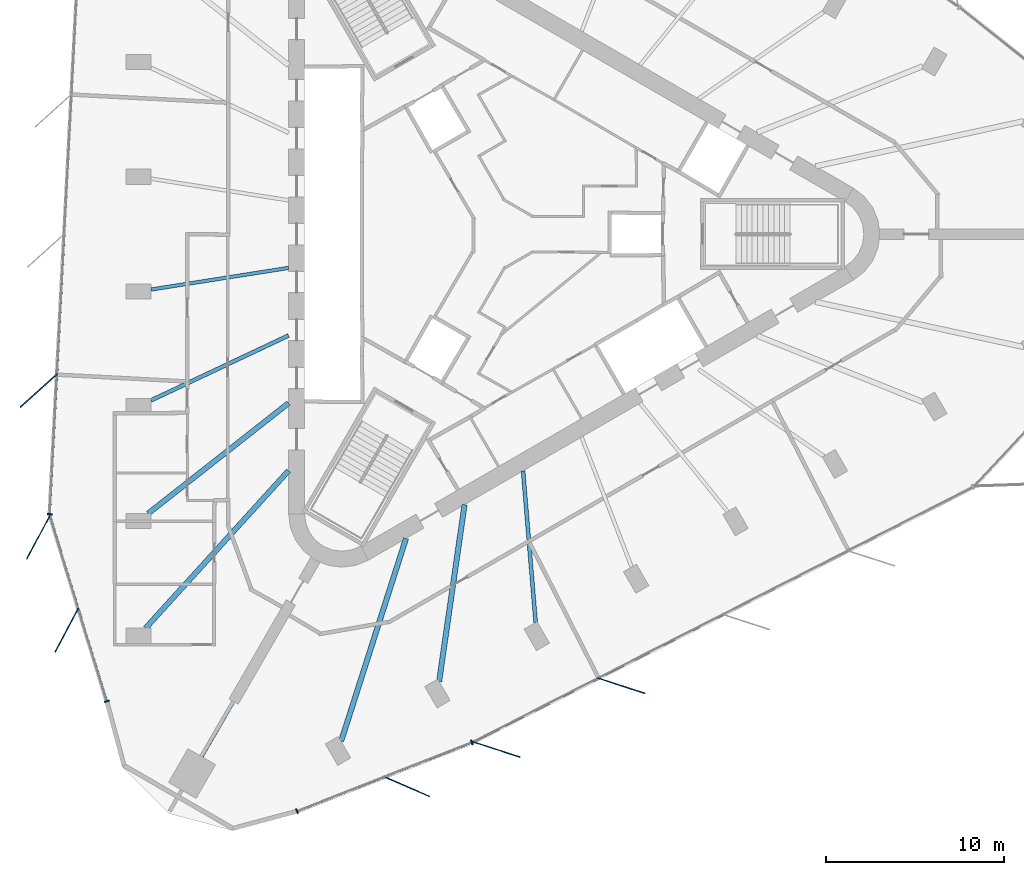
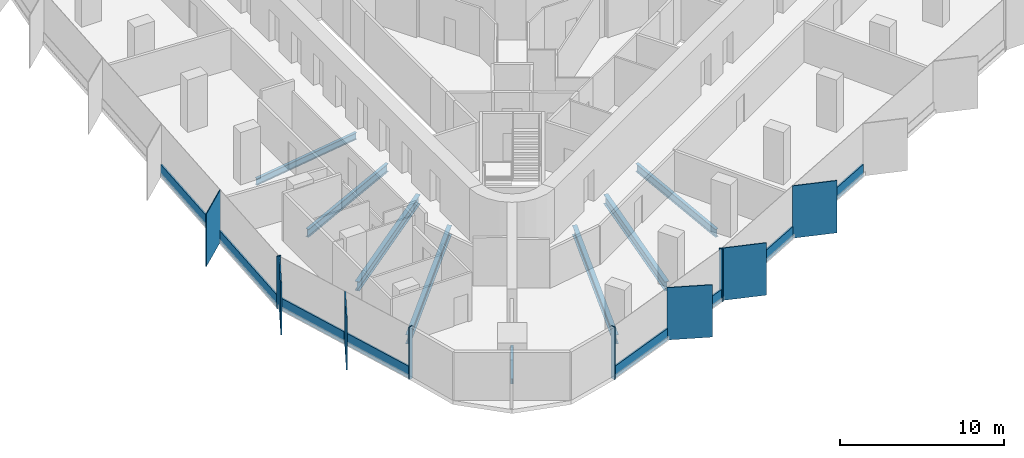
# One storey, part 2 of 13: 18 members, 8 beams, 4 elements without a shape of their own.
"""IFC4 building model written with IfcOpenShell, lengths in metres."""

import ifcopenshell
import ifcopenshell.guid

model = None  # the IFC model being written
_history = None  # IfcOwnerHistory: only IFC2X3 demands one
_inside = {}  # id of a spatial element -> (the spatial element, [elements in it])
_under = {}  # id of a project, library or spatial element -> (it, [spatial elements below it])
_declared = {}  # id of a project -> (the project, [libraries it declares])
_typed = {}  # id of a type object -> (the type object, [elements of that type])
_made_of = {}  # id of a material, layer set ... -> (it, [elements and type objects made of it])


def new_model(schema):
    """Start an empty IFC model of exactly this schema.

    Asked for "IFC4X3", IfcOpenShell would pick the latest addendum, in which some entities
    have other attributes; the version numbers below select the first issue.
    IFC2X3 requires an IfcOwnerHistory on every rooted entity: one is made here for all.
    """
    global model, _history
    if schema == "IFC4X3":
        model = ifcopenshell.file(schema_version=(4, 3, 0, 0))
    else:
        model = ifcopenshell.file(schema=schema)
    _inside.clear()
    _under.clear()
    _declared.clear()
    _typed.clear()
    _made_of.clear()
    _history = None
    if model.schema == "IFC2X3":
        org = make("IfcOrganization", Name="unknown")
        user = make(
            "IfcPersonAndOrganization",
            ThePerson=make("IfcPerson", FamilyName="unknown"),
            TheOrganization=org,
        )
        app = make(
            "IfcApplication",
            ApplicationDeveloper=org,
            Version="unknown",
            ApplicationFullName="unknown",
            ApplicationIdentifier="unknown",
        )
        _history = make(
            "IfcOwnerHistory",
            OwningUser=user,
            OwningApplication=app,
            ChangeAction="ADDED",
            CreationDate=0,
        )
    return model


def make(cls, **values):
    """One entity of the class cls with the attributes given. An attribute that is None is left unset."""
    return model.create_entity(
        cls, **{name: value for name, value in values.items() if value is not None}
    )


def rooted(cls, **values):
    """An entity with a GlobalId (a new one), such as an element, a storey or a relation."""
    return make(cls, GlobalId=ifcopenshell.guid.new(), OwnerHistory=_history, **values)


def si_unit(unit_type, name, prefix=None):
    """IfcSIUnit, for example si_unit("LENGTHUNIT", "METRE", prefix="MILLI")."""
    return make("IfcSIUnit", UnitType=unit_type, Prefix=prefix, Name=name)


def assignment(units):
    """IfcUnitAssignment: the units of a project."""
    return None if units is None else make("IfcUnitAssignment", Units=units)


def point(xyz):
    """IfcCartesianPoint."""
    return None if xyz is None else make("IfcCartesianPoint", Coordinates=xyz)


def direction(xyz):
    """IfcDirection."""
    return None if xyz is None else make("IfcDirection", DirectionRatios=xyz)


def frame(location, z_axis=None, x_axis=None):
    """IfcAxis2Placement3D, a coordinate frame: its origin and axes. An axis left out is left unset."""
    return make(
        "IfcAxis2Placement3D",
        Location=point(location),
        Axis=direction(z_axis),
        RefDirection=direction(x_axis),
    )


def frame_2d(location, x_axis=None):
    """IfcAxis2Placement2D, a coordinate frame in the plane: its origin and x axis."""
    return make(
        "IfcAxis2Placement2D", Location=point(location), RefDirection=direction(x_axis)
    )


def origin():
    """The frame at (0, 0, 0) with its axes left unset."""
    return frame((0.0, 0.0, 0.0))


def origin_2d():
    """The frame at (0, 0) in the plane with its x axis left unset."""
    return frame_2d((0.0, 0.0))


def place(relative_to, where):
    """IfcLocalPlacement: puts the frame where relative to a parent placement (None: the world)."""
    return make(
        "IfcLocalPlacement", PlacementRelTo=relative_to, RelativePlacement=where
    )


def context(
    kind, dimensions, precision=None, world=None, true_north=None, identifier=None
):
    """IfcGeometricRepresentationContext, for example the 3D "Model" context."""
    return make(
        "IfcGeometricRepresentationContext",
        ContextIdentifier=identifier,
        ContextType=kind,
        CoordinateSpaceDimension=dimensions,
        Precision=precision,
        WorldCoordinateSystem=world,
        TrueNorth=true_north,
    )


def subcontext(parent, identifier, kind, view, scale=None):
    """IfcGeometricRepresentationSubContext, for example "Body" below "Model"."""
    return make(
        "IfcGeometricRepresentationSubContext",
        ContextIdentifier=identifier,
        ContextType=kind,
        ParentContext=parent,
        TargetScale=scale,
        TargetView=view,
    )


def project(units=None, contexts=None):
    """IfcProject with its units and contexts."""
    return rooted(
        "IfcProject",
        Name="project",
        RepresentationContexts=contexts,
        UnitsInContext=assignment(units),
    )


def spatial(cls, under=None, at=None, **own):
    """A site, building, storey or space (cls), placed at a placement, below another one or the project."""
    s = rooted(cls, ObjectPlacement=at, **own)
    if under is not None:
        _under.setdefault(under.id(), (under, []))[1].append(s)
    return s


def profile(cls, at=None, kind="AREA", **sizes):
    """A parametric profile (cls). Its sizes go by their IFC names, for example OverallWidth=200.0."""
    return make(cls, ProfileType=kind, Position=at, **sizes)


def rectangle(**sizes):
    """IfcRectangleProfileDef."""
    return profile("IfcRectangleProfileDef", **sizes)


def i_section(**sizes):
    """IfcIShapeProfileDef."""
    return profile("IfcIShapeProfileDef", **sizes)


def extrude(swept, where, along, depth):
    """IfcExtrudedAreaSolid: the profile swept, set in the frame where, extruded along a direction by depth."""
    return make(
        "IfcExtrudedAreaSolid",
        SweptArea=swept,
        Position=where,
        ExtrudedDirection=direction(along),
        Depth=depth,
    )


def shape(context_of_items, identifier, shape_type, items):
    """IfcShapeRepresentation: the items that make up one representation, for example the "Body"."""
    return make(
        "IfcShapeRepresentation",
        ContextOfItems=context_of_items,
        RepresentationIdentifier=identifier,
        RepresentationType=shape_type,
        Items=items,
    )


def material(Name=None, Category=None):
    """IfcMaterial."""
    return make("IfcMaterial", Name=Name, Category=Category)


def material_profile(
    of_material, cross_section, Name=None, Category=None, Priority=None
):
    """IfcMaterialProfile: a cross section and its material."""
    return make(
        "IfcMaterialProfile",
        Name=Name,
        Material=of_material,
        Profile=cross_section,
        Priority=Priority,
        Category=Category,
    )


def profile_set(profiles, Name=None, composite=None):
    """IfcMaterialProfileSet."""
    return make(
        "IfcMaterialProfileSet",
        Name=Name,
        MaterialProfiles=profiles,
        CompositeProfile=composite,
    )


def made_of(thing, what):
    """Note that an element or type object is made of a material, layer set ...; save() writes the relation."""
    if what is not None:
        _made_of.setdefault(what.id(), (what, []))[1].append(thing)
    return thing


def type_object(cls, material=None, **own):
    """A type object (cls), such as IfcWallType, which elements share."""
    return made_of(rooted(cls, **own), material)


def element(
    cls,
    number,
    at=None,
    inside=None,
    cuts=None,
    type_object=None,
    material=None,
    context=None,
    identifier="Body",
    shape_type=None,
    held_by="IfcProductDefinitionShape",
    body=None,
    shapes=None,
    **own,
):
    """One element of the class cls, such as IfcWall. Its Tag is "e" and its number.

    at: its placement. inside: the storey or other place that contains it. cuts: it is an
    opening in that element (IfcRelVoidsElement). A single representation is given by context,
    identifier, shape_type and body (its items); several are given by shapes. held_by: the class
    of the entity that holds the representations. save() writes the other relations.
    """
    e = rooted(cls, Tag="e%d" % number, ObjectPlacement=at, **own)
    if body is not None:
        shapes = [shape(context, identifier, shape_type, body)]
    if shapes is not None:
        e.Representation = make(held_by, Representations=shapes)
    if inside is not None:
        _inside.setdefault(inside.id(), (inside, []))[1].append(e)
    if cuts is not None:
        rooted(
            "IfcRelVoidsElement", RelatingBuildingElement=cuts, RelatedOpeningElement=e
        )
    if type_object is not None:
        _typed.setdefault(type_object.id(), (type_object, []))[1].append(e)
    return made_of(e, material)


def aggregate(whole, parts):
    """IfcRelAggregates: a whole, such as a stair, and the parts it consists of."""
    return rooted("IfcRelAggregates", RelatingObject=whole, RelatedObjects=parts)


def save(model, path):
    """Write the relations noted so far, then the file.

    IfcRelAggregates (storeys below a building ...), IfcRelContainedInSpatialStructure (elements
    in a storey), IfcRelDefinesByType, IfcRelAssociatesMaterial and IfcRelDeclares: one each for
    every whole, place, type object, material and project.
    """
    for whole, parts in _under.values():
        aggregate(whole, parts)
    for where, things in _inside.values():
        rooted(
            "IfcRelContainedInSpatialStructure",
            RelatedElements=things,
            RelatingStructure=where,
        )
    for kind, things in _typed.values():
        rooted("IfcRelDefinesByType", RelatedObjects=things, RelatingType=kind)
    for what, things in _made_of.values():
        rooted("IfcRelAssociatesMaterial", RelatedObjects=things, RelatingMaterial=what)
    for by, libraries in _declared.values():
        rooted("IfcRelDeclares", RelatingContext=by, RelatedDefinitions=libraries)
    model.write(path)


model = new_model("IFC4")

# Units and contexts
model_context = context("Model", 3, precision=1e-05, world=origin(), true_north=direction((0.0, 1.0)))
body_context = subcontext(model_context, "Body", "Model", "MODEL_VIEW")
ifc_project = project(units=[si_unit("LENGTHUNIT", "METRE"), si_unit("AREAUNIT", "SQUARE_METRE"), si_unit("VOLUMEUNIT", "CUBIC_METRE"), si_unit("PLANEANGLEUNIT", "RADIAN"), si_unit("MASSUNIT", "GRAM", prefix="KILO")], contexts=[model_context])

# Site, building, storey
site_placement = place(None, origin())
site = spatial("IfcSite", under=ifc_project, at=site_placement, CompositionType="ELEMENT")
building_placement = place(site_placement, origin())
building = spatial("IfcBuilding", under=site, at=building_placement, Name="Tanit Gate Tower", CompositionType="ELEMENT")
storey_placement = place(building_placement, frame((0.0, 0.0, 318.199951171875)))
storey = spatial("IfcBuildingStorey", under=building, at=storey_placement, Name="L71", CompositionType="ELEMENT", Elevation=318.199951171875)

# Curtain wall, member
ifc_material_1 = material(Name="Aluminium bronze anodised and glass", Category="aluminium")
curtain_wall_type = type_object("IfcCurtainWallType", Name="Curtain wall typical high", PredefinedType="NOTDEFINED", material=ifc_material_1)
curtain_wall_1_placement = place(storey_placement, origin())
curtain_wall_1 = element("IfcCurtainWall", 1, at=curtain_wall_1_placement, inside=storey, type_object=curtain_wall_type, Name="Curtain wall L71 W2", PredefinedType="NOTDEFINED")
ifc_material_2 = material(Name="Aluminium bronze anodised", Category="aluminium")
ifc_material_profile_1 = material_profile(ifc_material_2, rectangle(XDim=2.800048828125, YDim=0.055908203125, at=origin_2d()), Name="56x2800 bronze fin mullion")
ifc_profile_set_1 = profile_set([ifc_material_profile_1], Name="Aluminium bronze anodised")
member_type_1 = type_object("IfcMemberType", Name="FIN MULLION 56x2800 bronze", PredefinedType="MULLION", material=ifc_profile_set_1)
member_1_placement = place(storey_placement, frame((-26.171630859375, -8.811279296875, -0.300048828125), z_axis=(0.0, 0.0, 1.0), x_axis=(0.742921658135, 0.669378375715, 0.0)))
member_1 = element("IfcMember", 2, at=member_1_placement, type_object=member_type_1, Name="Fin mullion L71 W2.4", PredefinedType="MULLION", context=body_context, shape_type="SweptSolid", body=[
    extrude(rectangle(XDim=2.800048828125, YDim=0.055908203125, at=origin_2d()), origin(), (0.0, 0.0, 1.0), 3.900146484375),
])

# Curtain wall, members
curtain_wall_2_placement = place(storey_placement, origin())
curtain_wall_2 = element("IfcCurtainWall", 3, at=curtain_wall_2_placement, inside=storey, type_object=curtain_wall_type, Name="Curtain wall L71 W3", PredefinedType="NOTDEFINED")
member_2_placement = place(storey_placement, frame((-26.195068359375, -17.0732421875, -0.300048828125), z_axis=(0.0, 0.0, 1.0), x_axis=(0.469169269872, 0.883108258487, 0.0)))
member_2 = element("IfcMember", 4, at=member_2_placement, type_object=member_type_1, Name="Fin mullion L71 W3.1", PredefinedType="MULLION", context=body_context, shape_type="SweptSolid", body=[
    extrude(rectangle(XDim=2.800048828125, YDim=0.055908203125, at=origin_2d()), origin(), (0.0, 0.0, 1.0), 3.900146484375),
])
member_3_placement = place(storey_placement, frame((-24.59423828125, -22.302734375, -0.300048828125), z_axis=(0.0, 0.0, 1.0), x_axis=(0.469169269872, 0.883108258487, 0.0)))
member_3 = element("IfcMember", 5, at=member_3_placement, type_object=member_type_1, Name="Fin mullion L71 W3.2", PredefinedType="MULLION", context=body_context, shape_type="SweptSolid", body=[
    extrude(rectangle(XDim=2.800048828125, YDim=0.055908203125, at=origin_2d()), origin(), (0.0, 0.0, 1.0), 3.900146484375),
])

# Curtain wall, member
curtain_wall_3_placement = place(storey_placement, origin())
curtain_wall_3 = element("IfcCurtainWall", 6, at=curtain_wall_3_placement, inside=storey, type_object=curtain_wall_type, Name="Curtain wall L71 SE1", PredefinedType="NOTDEFINED")
member_4_placement = place(storey_placement, frame((-5.437744140625, -31.119873046875, -0.300048828125), z_axis=(0.0, 0.0, 1.0), x_axis=(-0.916890797813, 0.399138152632, 0.0)))
member_4 = element("IfcMember", 7, at=member_4_placement, type_object=member_type_1, Name="Fin mullion L71 SE1.2", PredefinedType="MULLION", context=body_context, shape_type="SweptSolid", body=[
    extrude(rectangle(XDim=2.800048828125, YDim=0.055908203125, at=origin_2d()), origin(), (0.0, 0.0, 1.0), 3.900146484375),
])

# Curtain wall, members
curtain_wall_4_placement = place(storey_placement, origin())
curtain_wall_4 = element("IfcCurtainWall", 8, at=curtain_wall_4_placement, inside=storey, type_object=curtain_wall_type, Name="Curtain wall L71 SE2", PredefinedType="NOTDEFINED")
member_5_placement = place(storey_placement, frame((-0.395263671875, -29.025634765625, -0.300048828125), z_axis=(0.0, 0.0, 1.0), x_axis=(-0.95115950718, 0.308699841109, 0.0)))
member_5 = element("IfcMember", 9, at=member_5_placement, type_object=member_type_1, Name="Fin mullion L71 SE2.1", PredefinedType="MULLION", context=body_context, shape_type="SweptSolid", body=[
    extrude(rectangle(XDim=2.800048828125, YDim=0.055908203125, at=origin_2d()), origin(), (0.0, 0.0, 1.0), 3.900146484375),
])
member_6_placement = place(storey_placement, frame((6.64208984375, -25.43701171875, -0.300048828125), z_axis=(0.0, 0.0, 1.0), x_axis=(-0.95115950718, 0.308699841109, 0.0)))
member_6 = element("IfcMember", 10, at=member_6_placement, type_object=member_type_1, Name="Fin mullion L71 SE2.2", PredefinedType="MULLION", context=body_context, shape_type="SweptSolid", body=[
    extrude(rectangle(XDim=2.800048828125, YDim=0.055908203125, at=origin_2d()), origin(), (0.0, 0.0, 1.0), 3.900146484375),
])

# Member
ifc_material_3 = material(Name="Aluminium bronze anodised", Category="aluminium")
ifc_material_profile_2 = material_profile(ifc_material_3, rectangle(XDim=0.280029296875, YDim=0.080078125, at=origin_2d()), Name="80x280 bronze mullion")
ifc_profile_set_2 = profile_set([ifc_material_profile_2], Name="Aluminium bronze anodised")
member_type_2 = type_object("IfcMemberType", Name="Mullion 80x280 typical high", PredefinedType="MULLION", material=ifc_profile_set_2)
member_7_placement = place(storey_placement, frame((-25.55712890625, -15.776123046875, -0.300048828125), z_axis=(0.0, 0.0, 1.0), x_axis=(0.998646931005, -0.05200295371, 0.0)))
member_7 = element("IfcMember", 11, at=member_7_placement, type_object=member_type_2, Name="Mullion L71 W2.5", PredefinedType="MULLION", context=body_context, shape_type="SweptSolid", body=[
    extrude(rectangle(XDim=0.280029296875, YDim=0.080078125, at=origin_2d()), origin(), (0.0, 0.0, 1.0), 3.900146484375),
])

member_8_placement = place(storey_placement, frame((-22.345947265625, -26.3134765625, -0.300048828125), z_axis=(0.0, 0.0, 1.0), x_axis=(0.956204610349, 0.292699065847, 0.0)))
member_8 = element("IfcMember", 12, at=member_8_placement, type_object=member_type_2, Name="Mullion L71 W3.3", PredefinedType="MULLION", context=body_context, shape_type="SweptSolid", body=[
    extrude(rectangle(XDim=0.280029296875, YDim=0.080078125, at=origin_2d()), origin(), (0.0, 0.0, 1.0), 3.900146484375),
])

member_9_placement = place(storey_placement, frame((-11.625732421875, -32.505615234375, -0.300048828125), z_axis=(0.0, 0.0, 1.0), x_axis=(-0.366106406385, 0.930572995097, 0.0)))
member_9 = element("IfcMember", 13, at=member_9_placement, type_object=member_type_2, Name="Mullion L71 SE1.1", PredefinedType="MULLION", context=body_context, shape_type="SweptSolid", body=[
    extrude(rectangle(XDim=0.280029296875, YDim=0.080078125, at=origin_2d()), origin(), (0.0, 0.0, 1.0), 3.900146484375),
])

member_10_placement = place(storey_placement, frame((-1.78076171875, -28.63232421875, -0.300048828125), z_axis=(0.0, 0.0, 1.0), x_axis=(-0.366106406385, 0.930572995097, 0.0)))
member_10 = element("IfcMember", 14, at=member_10_placement, type_object=member_type_2, Name="Mullion L71 SE1.3", PredefinedType="MULLION", context=body_context, shape_type="SweptSolid", body=[
    extrude(rectangle(XDim=0.280029296875, YDim=0.080078125, at=origin_2d()), origin(), (0.0, 0.0, 1.0), 3.900146484375),
])

# Beams
ifc_material_4 = material(Name="Steel S355", Category="steel")
ifc_material_profile_3 = material_profile(ifc_material_4, i_section(OverallWidth=0.300048828125, OverallDepth=0.68994140625, WebThickness=0.014404296875, FlangeThickness=0.027099609375, FilletRadius=0.027099609375, at=origin_2d()), Name="HEA 700")
ifc_profile_set_3 = profile_set([ifc_material_profile_3], Name="Steel S355")
beam_type_1 = type_object("IfcBeamType", Name="RADIAL GIRDER HEA 700 S355", PredefinedType="BEAM", material=ifc_profile_set_3)
beam_1_placement = place(storey_placement, frame((-20.009033203125, -15.734619140625, -0.64501953125), z_axis=(0.786058028023, 0.618152712993, 0.0), x_axis=(-0.618152712993, 0.786058028023, 0.0)))
element("IfcBeam", 15, at=beam_1_placement, inside=storey, type_object=beam_type_1, Name="RADIAL GIRDER", PredefinedType="BEAM", context=body_context, shape_type="SweptSolid", body=[
    extrude(i_section(OverallWidth=0.300048828125, OverallDepth=0.68994140625, WebThickness=0.014404296875, FlangeThickness=0.027099609375, FilletRadius=0.027099609375, at=origin_2d()), origin(), (0.0, 0.0, 1.0), 10.05908203125),
])
beam_2_placement = place(storey_placement, frame((-20.16357421875, -22.198486328125, -0.64501953125), z_axis=(0.672368682258, 0.740216424513, 0.0), x_axis=(-0.740216424513, 0.672368682258, 0.0)))
element("IfcBeam", 16, at=beam_2_placement, inside=storey, type_object=beam_type_1, Name="RADIAL GIRDER", PredefinedType="BEAM", context=body_context, shape_type="SweptSolid", body=[
    extrude(i_section(OverallWidth=0.300048828125, OverallDepth=0.68994140625, WebThickness=0.014404296875, FlangeThickness=0.027099609375, FilletRadius=0.027099609375, at=origin_2d()), origin(), (0.0, 0.0, 1.0), 11.98974609375),
])
beam_3_placement = place(storey_placement, frame((-9.142822265625, -28.5615234375, -0.64501953125), z_axis=(0.304861429939, 0.952396718041, 0.0), x_axis=(-0.952396718041, 0.304861429939, 0.0)))
element("IfcBeam", 17, at=beam_3_placement, inside=storey, type_object=beam_type_1, Name="RADIAL GIRDER", PredefinedType="BEAM", context=body_context, shape_type="SweptSolid", body=[
    extrude(i_section(OverallWidth=0.300048828125, OverallDepth=0.68994140625, WebThickness=0.014404296875, FlangeThickness=0.027099609375, FilletRadius=0.027099609375, at=origin_2d()), origin(), (0.0, 0.0, 1.0), 11.989990234375),
])
beam_4_placement = place(storey_placement, frame((-3.622314453125, -25.19580078125, -0.64501953125), z_axis=(0.142297951306, 0.989823869713, 0.0), x_axis=(-0.989823869713, 0.142297951306, 0.0)))
element("IfcBeam", 18, at=beam_4_placement, inside=storey, type_object=beam_type_1, Name="RADIAL GIRDER", PredefinedType="BEAM", context=body_context, shape_type="SweptSolid", body=[
    extrude(i_section(OverallWidth=0.300048828125, OverallDepth=0.68994140625, WebThickness=0.014404296875, FlangeThickness=0.027099609375, FilletRadius=0.027099609375, at=origin_2d()), origin(), (0.0, 0.0, 1.0), 10.05908203125),
])
ifc_material_5 = material(Name="Steel S355", Category="steel")
ifc_material_profile_4 = material_profile(ifc_material_5, i_section(OverallWidth=0.179931640625, OverallDepth=0.39990234375, WebThickness=0.008544921875, FlangeThickness=0.013427734375, FilletRadius=0.02099609375, at=origin_2d()), Name="IPE 400")
ifc_profile_set_4 = profile_set([ifc_material_profile_4], Name="Steel S355")
beam_type_2 = type_object("IfcBeamType", Name="RADIAL GIRDER IPE 400 S355", PredefinedType="BEAM", material=ifc_profile_set_4)
beam_5_placement = place(storey_placement, frame((-16.991455078125, -29.43017578125, -0.5), z_axis=(0.499968468511, 0.866043607733, 0.0), x_axis=(-0.866043607733, 0.499968468511, 0.0)))
element("IfcBeam", 19, at=beam_5_placement, inside=storey, type_object=beam_type_2, Name="RADIAL GIRDER", PredefinedType="BEAM", context=body_context, shape_type="SweptSolid", body=[
    extrude(i_section(OverallWidth=0.179931640625, OverallDepth=0.39990234375, WebThickness=0.008544921875, FlangeThickness=0.013427734375, FilletRadius=0.02099609375, at=origin_2d()), origin(), (0.0, 0.0, 1.0), 3.579345703125),
])
ifc_material_6 = material(Name="Steel S355", Category="steel")
ifc_material_profile_5 = material_profile(ifc_material_6, i_section(OverallWidth=0.199951171875, OverallDepth=0.5, WebThickness=0.01025390625, FlangeThickness=0.01611328125, FilletRadius=0.02099609375, at=origin_2d()), Name="IPE 500")
ifc_profile_set_5 = profile_set([ifc_material_profile_5], Name="Steel S355")
beam_type_3 = type_object("IfcBeamType", Name="RADIAL GIRDER IPE 500 S355", PredefinedType="BEAM", material=ifc_profile_set_5)
beam_6_placement = place(storey_placement, frame((-19.849609375, -3.121826171875, -0.550048828125), z_axis=(0.987856930441, 0.15536629293, 0.0), x_axis=(-0.15536629293, 0.987856930441, 0.0)))
element("IfcBeam", 20, at=beam_6_placement, inside=storey, type_object=beam_type_3, Name="RADIAL GIRDER", PredefinedType="BEAM", context=body_context, shape_type="SweptSolid", body=[
    extrude(i_section(OverallWidth=0.199951171875, OverallDepth=0.5, WebThickness=0.01025390625, FlangeThickness=0.01611328125, FilletRadius=0.02099609375, at=origin_2d()), origin(), (0.0, 0.0, 1.0), 7.8427734375),
])
ifc_material_7 = material(Name="Steel S355", Category="steel")
ifc_material_profile_6 = material_profile(ifc_material_7, i_section(OverallWidth=0.219970703125, OverallDepth=0.60009765625, WebThickness=0.011962890625, FlangeThickness=0.01904296875, FilletRadius=0.02392578125, at=origin_2d()), Name="IPE 600")
ifc_profile_set_6 = profile_set([ifc_material_profile_6], Name="Steel S355")
beam_type_4 = type_object("IfcBeamType", Name="RADIAL GIRDER IPE 600 S355", PredefinedType="BEAM", material=ifc_profile_set_6)
for number, where, z_axis, x_axis, name in (
    (21, (-19.849609375, -9.365478515625, -0.599853515625), (0.90438615004, 0.426715000458, 0.0), (-0.426715000458, 0.90438615004, 0.0), "RADIAL GIRDER"),
    (22, (1.81396484375, -21.873046875, -0.599853515625), (-0.082646881355, 0.99657889452, 0.0), (-0.99657889452, -0.082646881355, 0.0), "RADIAL GIRDER"),
):
    element("IfcBeam", number, at=place(storey_placement, frame(where, z_axis=z_axis, x_axis=x_axis)), inside=storey, type_object=beam_type_4, Name=name, PredefinedType="BEAM", context=body_context, shape_type="SweptSolid", body=[
        extrude(i_section(OverallWidth=0.219970703125, OverallDepth=0.60009765625, WebThickness=0.011962890625, FlangeThickness=0.01904296875, FilletRadius=0.02392578125, at=origin_2d()), origin(), (0.0, 0.0, 1.0), 8.566650390625),
    ])

# Member
ifc_material_8 = material(Name="Aluminium bronze anodised", Category="aluminium")
ifc_material_profile_7 = material_profile(ifc_material_8, rectangle(XDim=0.1201171875, YDim=0.89990234375, at=origin_2d()), Name="120x900 bronze transom")
ifc_profile_set_7 = profile_set([ifc_material_profile_7], Name="Aluminium bronze anodised")
member_type_3 = type_object("IfcMemberType", Name="Transom 120x900 typical high", PredefinedType="USERDEFINED", material=ifc_profile_set_7)
member_11_placement = place(storey_placement, frame((-24.737548828125, -0.03857421875, 0.150146484375), z_axis=(-0.05201640207, -0.998646230612, 0.0), x_axis=(0.998646230612, -0.05201640207, 0.0)))
member_11 = element("IfcMember", 23, at=member_11_placement, type_object=member_type_3, Name="Transom L71 W2.3", ObjectType="TRANSOM", PredefinedType="USERDEFINED", context=body_context, shape_type="SweptSolid", body=[
    extrude(rectangle(XDim=0.1201171875, YDim=0.89990234375, at=origin_2d()), origin(), (0.0, 0.0, 1.0), 7.8193359375),
])

member_12_placement = place(storey_placement, frame((-25.1484375, -7.92724609375, 0.150146484375), z_axis=(-0.05201640207, -0.998646230612, 0.0), x_axis=(0.998646230612, -0.05201640207, 0.0)))
member_12 = element("IfcMember", 24, at=member_12_placement, type_object=member_type_3, Name="Transom L71 W2.4", ObjectType="TRANSOM", PredefinedType="USERDEFINED", context=body_context, shape_type="SweptSolid", body=[
    extrude(rectangle(XDim=0.1201171875, YDim=0.89990234375, at=origin_2d()), origin(), (0.0, 0.0, 1.0), 7.8193359375),
])

aggregate(curtain_wall_1, [member_1, member_7, member_11, member_12])

member_13_placement = place(storey_placement, frame((-25.535888671875, -15.892578125, 0.150146484375), z_axis=(0.292700746811, -0.956204095796, 0.0), x_axis=(0.956204095796, 0.292700746811, 0.0)))
member_13 = element("IfcMember", 25, at=member_13_placement, type_object=member_type_3, Name="Transom L71 W3.1", ObjectType="TRANSOM", PredefinedType="USERDEFINED", context=body_context, shape_type="SweptSolid", body=[
    extrude(rectangle(XDim=0.1201171875, YDim=0.89990234375, at=origin_2d()), origin(), (0.0, 0.0, 1.0), 5.38916015625),
])

member_14_placement = place(storey_placement, frame((-23.93505859375, -21.122314453125, 0.150146484375), z_axis=(0.292700746811, -0.956204095796, 0.0), x_axis=(0.956204095796, 0.292700746811, 0.0)))
member_14 = element("IfcMember", 26, at=member_14_placement, type_object=member_type_3, Name="Transom L71 W3.2", ObjectType="TRANSOM", PredefinedType="USERDEFINED", context=body_context, shape_type="SweptSolid", body=[
    extrude(rectangle(XDim=0.1201171875, YDim=0.89990234375, at=origin_2d()), origin(), (0.0, 0.0, 1.0), 5.38916015625),
])

aggregate(curtain_wall_2, [member_2, member_3, member_8, member_13, member_14])

member_15_placement = place(storey_placement, frame((-11.58837890625, -32.490966796875, 0.150146484375), z_axis=(0.930575374327, 0.366100358777, 0.0), x_axis=(-0.366100358777, 0.930575374327, 0.0)))
member_15 = element("IfcMember", 27, at=member_15_placement, type_object=member_type_3, Name="Transom L71 SE1.1", ObjectType="TRANSOM", PredefinedType="USERDEFINED", context=body_context, shape_type="SweptSolid", body=[
    extrude(rectangle(XDim=0.1201171875, YDim=0.89990234375, at=origin_2d()), origin(), (0.0, 0.0, 1.0), 5.20947265625),
])

member_16_placement = place(storey_placement, frame((-6.666015625, -30.554443359375, 0.150146484375), z_axis=(0.930559407954, 0.366140940442, 0.0), x_axis=(-0.366140940442, 0.930559407954, 0.0)))
member_16 = element("IfcMember", 28, at=member_16_placement, type_object=member_type_3, Name="Transom L71 SE1.2", ObjectType="TRANSOM", PredefinedType="USERDEFINED", context=body_context, shape_type="SweptSolid", body=[
    extrude(rectangle(XDim=0.1201171875, YDim=0.89990234375, at=origin_2d()), origin(), (0.0, 0.0, 1.0), 5.209716796875),
])

aggregate(curtain_wall_3, [member_9, member_4, member_10, member_15, member_16])

member_17_placement = place(storey_placement, frame((-1.67236328125, -28.58154296875, 0.150146484375), z_axis=(0.890845944364, 0.454305517697, 0.0), x_axis=(-0.454305517697, 0.890845944364, 0.0)))
member_17 = element("IfcMember", 29, at=member_17_placement, type_object=member_type_3, Name="Transom L71 SE2.1", ObjectType="TRANSOM", PredefinedType="USERDEFINED", context=body_context, shape_type="SweptSolid", body=[
    extrude(rectangle(XDim=0.1201171875, YDim=0.89990234375, at=origin_2d()), origin(), (0.0, 0.0, 1.0), 7.819580078125),
])

member_18_placement = place(storey_placement, frame((5.364990234375, -24.99267578125, 0.150146484375), z_axis=(0.890852136495, 0.454293375368, 0.0), x_axis=(-0.454293375368, 0.890852136495, 0.0)))
member_18 = element("IfcMember", 30, at=member_18_placement, type_object=member_type_3, Name="Transom L71 SE2.2", ObjectType="TRANSOM", PredefinedType="USERDEFINED", context=body_context, shape_type="SweptSolid", body=[
    extrude(rectangle(XDim=0.1201171875, YDim=0.89990234375, at=origin_2d()), origin(), (0.0, 0.0, 1.0), 7.8193359375),
])

aggregate(curtain_wall_4, [member_5, member_6, member_17, member_18])

save(model, "model.ifc")
